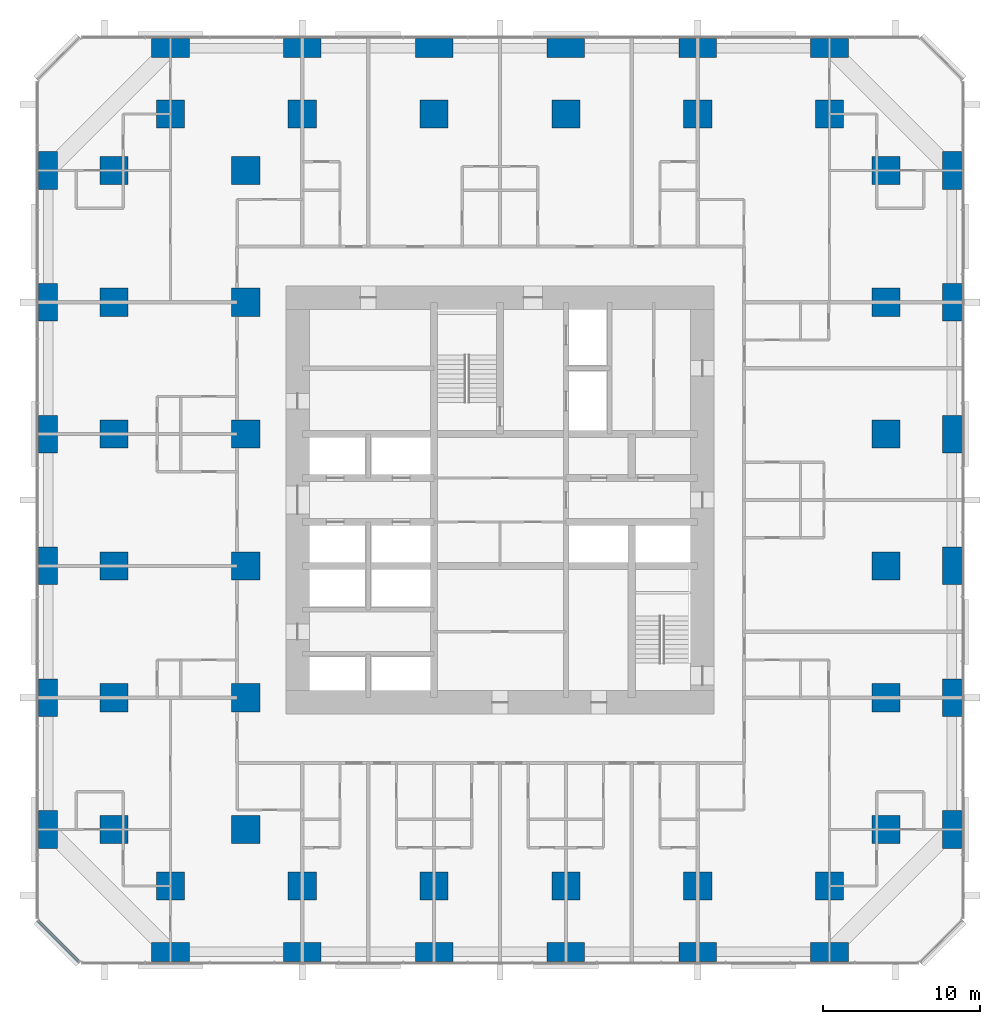
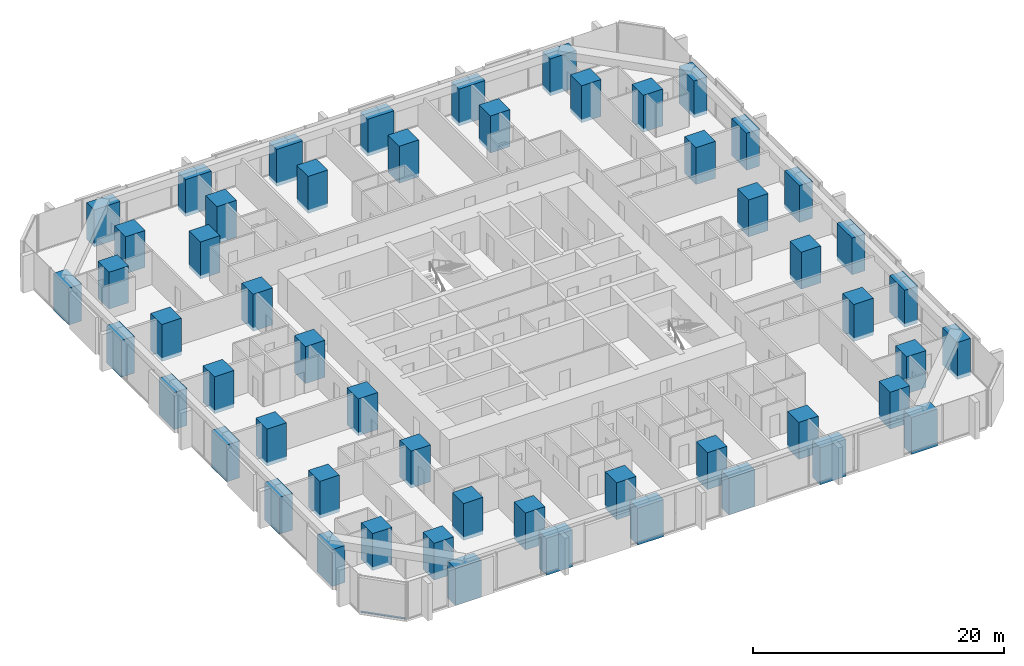
# One storey, part 1 of 17: 54 columns, 1 member, 1 element without a shape of its own.
"""IFC4 building model written with IfcOpenShell, lengths in metres."""

from ifc_helpers import new_model, si_unit, direction, frame, origin, origin_2d, place, context, subcontext, project, spatial, rectangle, extrude, material, material_profile, profile_set, type_object, element, aggregate, save


model = new_model("IFC4")

# Units and contexts
model_context = context("Model", 3, precision=1e-05, world=origin(), true_north=direction((0.0, 1.0)))
body_context = subcontext(model_context, "Body", "Model", "MODEL_VIEW")
ifc_project = project(units=[si_unit("LENGTHUNIT", "METRE"), si_unit("AREAUNIT", "SQUARE_METRE"), si_unit("VOLUMEUNIT", "CUBIC_METRE"), si_unit("PLANEANGLEUNIT", "RADIAN"), si_unit("MASSUNIT", "GRAM", prefix="KILO")], contexts=[model_context])

# Site, building, storey
site_placement = place(None, origin())
site = spatial("IfcSite", under=ifc_project, at=site_placement, CompositionType="ELEMENT")
building_placement = place(site_placement, origin())
building = spatial("IfcBuilding", under=site, at=building_placement, Name="Dunama Terrace Hotel", CompositionType="ELEMENT")
storey_placement = place(building_placement, frame((0.0, 0.0, 70.199951171875)))
storey = spatial("IfcBuildingStorey", under=building, at=storey_placement, Name="L17", CompositionType="ELEMENT", Elevation=70.199951171875)

# Columns
ifc_material_1 = material(Name="Concrete C60/75", Category="concrete")
ifc_material_profile_1 = material_profile(ifc_material_1, rectangle(XDim=1.199951171875, YDim=2.39990234375, at=origin_2d()), Name="RC 1200x2400")
ifc_profile_set_1 = profile_set([ifc_material_profile_1], Name="Concrete C60/75")
column_type_1 = type_object("IfcColumnType", Name="Column RC 1200x2400", PredefinedType="COLUMN", material=ifc_profile_set_1)
for number, where, z_axis, x_axis, name in (
    (1, (0.60009765625, 8.39990234375, -0.349853515625), (0.0, 0.0, 1.0), (1.0, 0.0, 0.0), "Column L17 +0.6/+8.4"),
    (2, (0.60009765625, 16.800048828125, -0.349853515625), (0.0, 0.0, 1.0), (1.0, 0.0, 0.0), "Column L17 +0.6/+16.8"),
    (3, (0.60009765625, 25.199951171875, -0.349853515625), (0.0, 0.0, 1.0), (1.0, 0.0, 0.0), "Column L17 +0.6/+25.2"),
    (4, (0.60009765625, 33.60009765625, -0.349853515625), (0.0, 0.0, 1.0), (1.0, 0.0, 0.0), "Column L17 +0.6/+33.6"),
    (5, (0.60009765625, 42.0, -0.349853515625), (0.0, 0.0, 1.0), (1.0, 0.0, 0.0), "Column L17 +0.6/+42.0"),
    (6, (0.60009765625, 50.39990234375, -0.349853515625), (0.0, 0.0, 1.0), (1.0, 0.0, 0.0), "Column L17 +0.6/+50.4"),
    (7, (58.199951171875, 8.39990234375, -0.349853515625), (0.0, 0.0, 1.0), (1.0, 0.0, 0.0), "Column L17 +58.2/+8.4"),
    (8, (58.199951171875, 16.800048828125, -0.349853515625), (0.0, 0.0, 1.0), (1.0, 0.0, 0.0), "Column L17 +58.2/+16.8"),
    (9, (58.199951171875, 25.199951171875, -0.349853515625), (0.0, 0.0, 1.0), (1.0, 0.0, 0.0), "Column L17 +58.2/+25.2"),
    (10, (58.199951171875, 33.60009765625, -0.349853515625), (0.0, 0.0, 1.0), (1.0, 0.0, 0.0), "Column L17 +58.2/+33.6"),
    (11, (58.199951171875, 42.0, -0.349853515625), (0.0, 0.0, 1.0), (1.0, 0.0, 0.0), "Column L17 +58.2/+42.0"),
    (12, (58.199951171875, 50.39990234375, -0.349853515625), (0.0, 0.0, 1.0), (1.0, 0.0, 0.0), "Column L17 +58.2/+50.4"),
):
    element("IfcColumn", number, at=place(storey_placement, frame(where, z_axis=z_axis, x_axis=x_axis)), inside=storey, type_object=column_type_1, Name=name, PredefinedType="COLUMN", context=body_context, shape_type="SweptSolid", body=[
        extrude(rectangle(XDim=1.199951171875, YDim=2.39990234375, at=origin_2d()), origin(), (0.0, 0.0, 1.0), 3.599853515625),
    ])
ifc_material_2 = material(Name="Concrete C60/75", Category="concrete")
ifc_material_profile_2 = material_profile(ifc_material_2, rectangle(XDim=1.800048828125, YDim=1.800048828125, at=origin_2d()), Name="RC 1800x1800")
ifc_profile_set_2 = profile_set([ifc_material_profile_2], Name="Concrete C60/75")
column_type_2 = type_object("IfcColumnType", Name="Column RC 1800x1800", PredefinedType="COLUMN", material=ifc_profile_set_2)
for number, where, z_axis, x_axis, name in (
    (13, (4.800048828125, 8.39990234375, -0.349853515625), (0.0, 0.0, 1.0), (1.0, 0.0, 0.0), "Column L17 +4.8/+8.4"),
    (14, (4.800048828125, 16.800048828125, -0.349853515625), (0.0, 0.0, 1.0), (1.0, 0.0, 0.0), "Column L17 +4.8/+16.8"),
    (15, (4.800048828125, 25.199951171875, -0.349853515625), (0.0, 0.0, 1.0), (1.0, 0.0, 0.0), "Column L17 +4.8/+25.2"),
    (16, (4.800048828125, 33.60009765625, -0.349853515625), (0.0, 0.0, 1.0), (1.0, 0.0, 0.0), "Column L17 +4.8/+33.6"),
    (17, (4.800048828125, 42.0, -0.349853515625), (0.0, 0.0, 1.0), (1.0, 0.0, 0.0), "Column L17 +4.8/+42.0"),
    (18, (4.800048828125, 50.39990234375, -0.349853515625), (0.0, 0.0, 1.0), (1.0, 0.0, 0.0), "Column L17 +4.8/+50.4"),
    (19, (8.39990234375, 4.800048828125, -0.349853515625), (0.0, 0.0, 1.0), (1.0, 0.0, 0.0), "Column L17 +8.4/+4.8"),
    (20, (8.39990234375, 54.0, -0.349853515625), (0.0, 0.0, 1.0), (1.0, 0.0, 0.0), "Column L17 +8.4/+54.0"),
    (21, (13.199951171875, 8.39990234375, -0.349853515625), (0.0, 0.0, 1.0), (1.0, 0.0, 0.0), "Column L17 +13.2/+8.4"),
    (22, (13.199951171875, 16.800048828125, -0.349853515625), (0.0, 0.0, 1.0), (1.0, 0.0, 0.0), "Column L17 +13.2/+16.8"),
    (23, (13.199951171875, 25.199951171875, -0.349853515625), (0.0, 0.0, 1.0), (1.0, 0.0, 0.0), "Column L17 +13.2/+25.2"),
    (24, (13.199951171875, 33.60009765625, -0.349853515625), (0.0, 0.0, 1.0), (1.0, 0.0, 0.0), "Column L17 +13.2/+33.6"),
    (25, (13.199951171875, 42.0, -0.349853515625), (0.0, 0.0, 1.0), (1.0, 0.0, 0.0), "Column L17 +13.2/+42.0"),
    (26, (13.199951171875, 50.39990234375, -0.349853515625), (0.0, 0.0, 1.0), (1.0, 0.0, 0.0), "Column L17 +13.2/+50.4"),
    (27, (16.800048828125, 4.800048828125, -0.349853515625), (0.0, 0.0, 1.0), (1.0, 0.0, 0.0), "Column L17 +16.8/+4.8"),
    (28, (16.800048828125, 54.0, -0.349853515625), (0.0, 0.0, 1.0), (1.0, 0.0, 0.0), "Column L17 +16.8/+54.0"),
    (29, (25.199951171875, 4.800048828125, -0.349853515625), (0.0, 0.0, 1.0), (1.0, 0.0, 0.0), "Column L17 +25.2/+4.8"),
    (30, (25.199951171875, 54.0, -0.349853515625), (0.0, 0.0, 1.0), (1.0, 0.0, 0.0), "Column L17 +25.2/+54.0"),
    (31, (33.60009765625, 4.800048828125, -0.349853515625), (0.0, 0.0, 1.0), (1.0, 0.0, 0.0), "Column L17 +33.6/+4.8"),
    (32, (33.60009765625, 54.0, -0.349853515625), (0.0, 0.0, 1.0), (1.0, 0.0, 0.0), "Column L17 +33.6/+54.0"),
    (33, (42.0, 4.800048828125, -0.349853515625), (0.0, 0.0, 1.0), (1.0, 0.0, 0.0), "Column L17 +42.0/+4.8"),
    (34, (42.0, 54.0, -0.349853515625), (0.0, 0.0, 1.0), (1.0, 0.0, 0.0), "Column L17 +42.0/+54.0"),
    (35, (50.39990234375, 4.800048828125, -0.349853515625), (0.0, 0.0, 1.0), (1.0, 0.0, 0.0), "Column L17 +50.4/+4.8"),
    (36, (50.39990234375, 54.0, -0.349853515625), (0.0, 0.0, 1.0), (1.0, 0.0, 0.0), "Column L17 +50.4/+54.0"),
    (37, (54.0, 8.39990234375, -0.349853515625), (0.0, 0.0, 1.0), (1.0, 0.0, 0.0), "Column L17 +54.0/+8.4"),
    (38, (54.0, 16.800048828125, -0.349853515625), (0.0, 0.0, 1.0), (1.0, 0.0, 0.0), "Column L17 +54.0/+16.8"),
    (39, (54.0, 25.199951171875, -0.349853515625), (0.0, 0.0, 1.0), (1.0, 0.0, 0.0), "Column L17 +54.0/+25.2"),
    (40, (54.0, 33.60009765625, -0.349853515625), (0.0, 0.0, 1.0), (1.0, 0.0, 0.0), "Column L17 +54.0/+33.6"),
    (41, (54.0, 42.0, -0.349853515625), (0.0, 0.0, 1.0), (1.0, 0.0, 0.0), "Column L17 +54.0/+42.0"),
    (42, (54.0, 50.39990234375, -0.349853515625), (0.0, 0.0, 1.0), (1.0, 0.0, 0.0), "Column L17 +54.0/+50.4"),
):
    element("IfcColumn", number, at=place(storey_placement, frame(where, z_axis=z_axis, x_axis=x_axis)), inside=storey, type_object=column_type_2, Name=name, PredefinedType="COLUMN", context=body_context, shape_type="SweptSolid", body=[
        extrude(rectangle(XDim=1.800048828125, YDim=1.800048828125, at=origin_2d()), origin(), (0.0, 0.0, 1.0), 3.599853515625),
    ])
ifc_material_3 = material(Name="Concrete C60/75", Category="concrete")
ifc_material_profile_3 = material_profile(ifc_material_3, rectangle(XDim=2.39990234375, YDim=1.199951171875, at=origin_2d()), Name="RC 2400x1200")
ifc_profile_set_3 = profile_set([ifc_material_profile_3], Name="Concrete C60/75")
column_type_3 = type_object("IfcColumnType", Name="Column RC 2400x1200", PredefinedType="COLUMN", material=ifc_profile_set_3)
for number, where, z_axis, x_axis, name in (
    (43, (8.39990234375, 0.60009765625, -0.349853515625), (0.0, 0.0, 1.0), (1.0, 0.0, 0.0), "Column L17 +8.4/+0.6"),
    (44, (8.39990234375, 58.199951171875, -0.349853515625), (0.0, 0.0, 1.0), (1.0, 0.0, 0.0), "Column L17 +8.4/+58.2"),
    (45, (16.800048828125, 0.60009765625, -0.349853515625), (0.0, 0.0, 1.0), (1.0, 0.0, 0.0), "Column L17 +16.8/+0.6"),
    (46, (16.800048828125, 58.199951171875, -0.349853515625), (0.0, 0.0, 1.0), (1.0, 0.0, 0.0), "Column L17 +16.8/+58.2"),
    (47, (25.199951171875, 0.60009765625, -0.349853515625), (0.0, 0.0, 1.0), (1.0, 0.0, 0.0), "Column L17 +25.2/+0.6"),
    (48, (25.199951171875, 58.199951171875, -0.349853515625), (0.0, 0.0, 1.0), (1.0, 0.0, 0.0), "Column L17 +25.2/+58.2"),
    (49, (33.60009765625, 0.60009765625, -0.349853515625), (0.0, 0.0, 1.0), (1.0, 0.0, 0.0), "Column L17 +33.6/+0.6"),
    (50, (33.60009765625, 58.199951171875, -0.349853515625), (0.0, 0.0, 1.0), (1.0, 0.0, 0.0), "Column L17 +33.6/+58.2"),
    (51, (42.0, 0.60009765625, -0.349853515625), (0.0, 0.0, 1.0), (1.0, 0.0, 0.0), "Column L17 +42.0/+0.6"),
    (52, (42.0, 58.199951171875, -0.349853515625), (0.0, 0.0, 1.0), (1.0, 0.0, 0.0), "Column L17 +42.0/+58.2"),
    (53, (50.39990234375, 0.60009765625, -0.349853515625), (0.0, 0.0, 1.0), (1.0, 0.0, 0.0), "Column L17 +50.4/+0.6"),
    (54, (50.39990234375, 58.199951171875, -0.349853515625), (0.0, 0.0, 1.0), (1.0, 0.0, 0.0), "Column L17 +50.4/+58.2"),
):
    element("IfcColumn", number, at=place(storey_placement, frame(where, z_axis=z_axis, x_axis=x_axis)), inside=storey, type_object=column_type_3, Name=name, PredefinedType="COLUMN", context=body_context, shape_type="SweptSolid", body=[
        extrude(rectangle(XDim=2.39990234375, YDim=1.199951171875, at=origin_2d()), origin(), (0.0, 0.0, 1.0), 3.599853515625),
    ])

# Curtain wall, member
ifc_material_4 = material(Name="Aluminium curtain wall system", Category="aluminium")
curtain_wall_type = type_object("IfcCurtainWallType", Name="Unitised fritted glass wall CW-A", PredefinedType="NOTDEFINED", material=ifc_material_4)
curtain_wall_placement = place(storey_placement, origin())
curtain_wall = element("IfcCurtainWall", 55, at=curtain_wall_placement, inside=storey, type_object=curtain_wall_type, Name="Unitised fritted glass wall CW-A L17", PredefinedType="NOTDEFINED")
ifc_material_5 = material(Name="Aluminium transom", Category="aluminium")
ifc_material_profile_4 = material_profile(ifc_material_5, rectangle(XDim=0.179931640625, YDim=0.074951171875, at=origin_2d()), Name="CWA TRANSOM 180X75")
ifc_profile_set_4 = profile_set([ifc_material_profile_4], Name="Aluminium transom")
member_type = type_object("IfcMemberType", Name="CWA transom 180x75", PredefinedType="USERDEFINED", material=ifc_profile_set_4)
member_placement = place(storey_placement, frame((-0.02490234375, 2.5830078125, 0.03759765625), z_axis=(0.707106781187, -0.707106781187, 0.0), x_axis=(0.707106781187, 0.707106781187, 0.0)))
member = element("IfcMember", 56, at=member_placement, type_object=member_type, Name="CWA transom", ObjectType="TRANSOM", PredefinedType="USERDEFINED", context=body_context, shape_type="SweptSolid", body=[
    extrude(rectangle(XDim=0.179931640625, YDim=0.074951171875, at=origin_2d()), origin(), (0.0, 0.0, 1.0), 3.688232421875),
])
aggregate(curtain_wall, [member])

save(model, "model.ifc")
